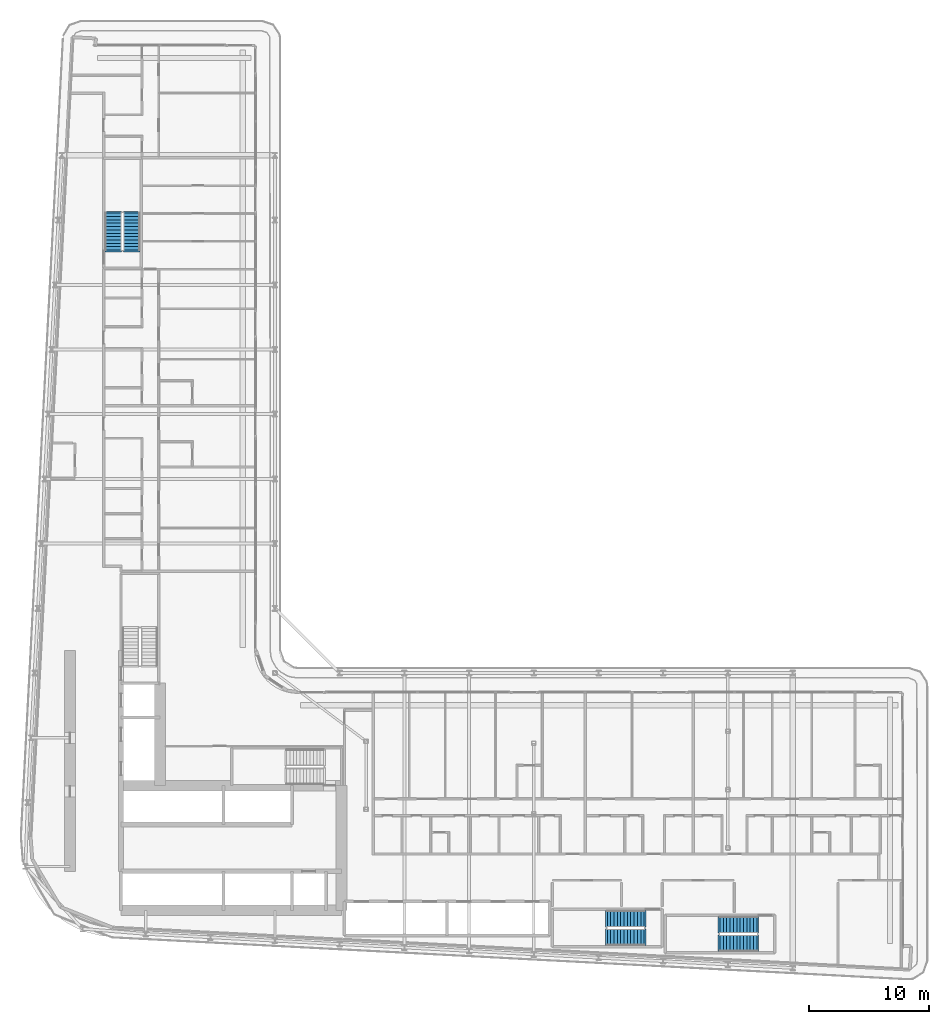
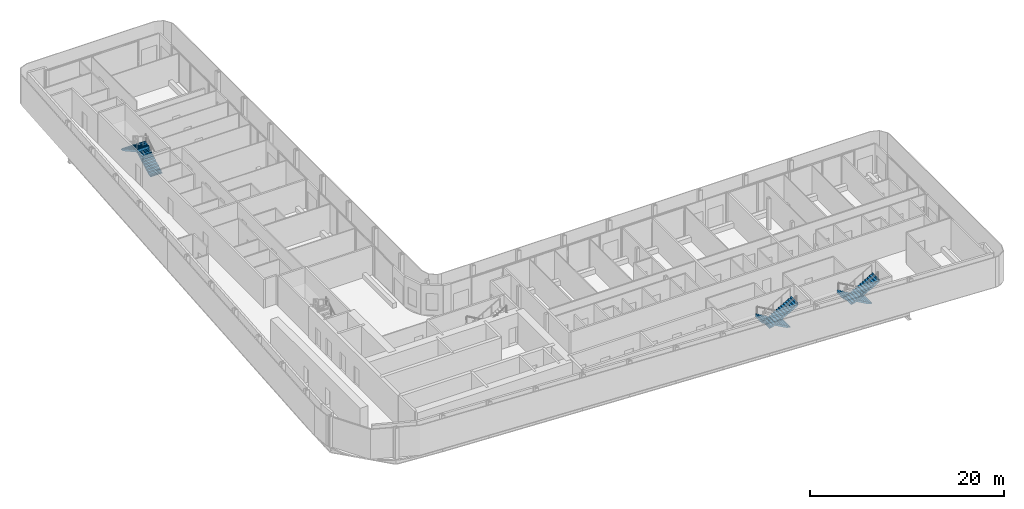
# One storey, part 21 of 28: 6 stair flights, 3 elements without a shape of their own.
"""IFC4 building model written with IfcOpenShell, lengths in metres."""

from ifc_helpers import new_model, si_unit, direction, frame, origin, place, context, subcontext, project, spatial, polyline, outline, extrude, material, layer, layer_set, type_object, element, aggregate, save


model = new_model("IFC4")

# Units and contexts
model_context = context("Model", 3, precision=1e-05, world=origin(), true_north=direction((0.0, 1.0)))
body_context = subcontext(model_context, "Body", "Model", "MODEL_VIEW")
ifc_project = project(units=[si_unit("LENGTHUNIT", "METRE"), si_unit("AREAUNIT", "SQUARE_METRE"), si_unit("VOLUMEUNIT", "CUBIC_METRE"), si_unit("PLANEANGLEUNIT", "RADIAN"), si_unit("MASSUNIT", "GRAM", prefix="KILO")], contexts=[model_context])

# Site, building, storey
site_placement = place(None, origin())
site = spatial("IfcSite", under=ifc_project, at=site_placement, CompositionType="ELEMENT")
building_placement = place(site_placement, origin())
building = spatial("IfcBuilding", under=site, at=building_placement, Name="Kheshtan School and Residences Tower", CompositionType="ELEMENT")
storey_placement = place(building_placement, frame((0.0, 0.0, 140.89990234375)))
storey = spatial("IfcBuildingStorey", under=building, at=storey_placement, Name="L33", CompositionType="ELEMENT", Elevation=140.89990234375)

# Stair, stair flights
ifc_material = material(Name="Concrete C40/50", Category="concrete")
stair_type = type_object("IfcStairType", Name="Exit stair, half-turn", PredefinedType="HALF_TURN_STAIR", material=ifc_material)
stair_1_placement = place(storey_placement, origin())
stair_1 = element("IfcStair", 1, at=stair_1_placement, inside=storey, type_object=stair_type, Name="L33 Protected Exit Stair ST3", PredefinedType="HALF_TURN_STAIR")
ifc_layer = layer(ifc_material, 0.14990234375)
ifc_layer_set = layer_set([ifc_layer], Name="Stair flight 1400 Concrete C40/50")
stair_flight_type = type_object("IfcStairFlightType", Name="Stair flight 1400 Concrete C40/50", PredefinedType="STRAIGHT", material=ifc_layer_set)
stair_flight_1_placement = place(storey_placement, frame((35.64990234375, 80.89990234375, 0.0), z_axis=(0.0, 0.0, 1.0), x_axis=(0.0, 1.0, 0.0)))
stair_flight_1 = element("IfcStairFlight", 2, at=stair_flight_1_placement, type_object=stair_flight_type, Name="ST3 flight 1", NumberOfRisers=12, NumberOfTreads=11, PredefinedType="STRAIGHT", RiserHeight=0.1625, TreadLength=0.28, context=body_context, shape_type="SweptSolid", body=[
    extrude(outline(polyline([(-0.14990234375, -0.10009765625), (-0.14990234375, 0.0), (0.0, 0.0), (0.0, 0.16259765625), (0.280029296875, 0.16259765625), (0.280029296875, 0.324951171875), (0.56005859375, 0.324951171875), (0.56005859375, 0.487548828125), (0.840087890625, 0.487548828125), (0.840087890625, 0.64990234375), (1.1201171875, 0.64990234375), (1.1201171875, 0.8125), (1.39990234375, 0.8125), (1.39990234375, 0.97509765625), (1.679931640625, 0.97509765625), (1.679931640625, 1.137451171875), (1.9599609375, 1.137451171875), (1.9599609375, 1.300048828125), (2.239990234375, 1.300048828125), (2.239990234375, 1.46240234375), (2.52001953125, 1.46240234375), (2.52001953125, 1.625), (2.800048828125, 1.625), (2.800048828125, 1.78759765625), (3.080078125, 1.78759765625), (3.080078125, 1.949951171875), (3.080078125, 1.969970703125), (3.22998046875, 1.969970703125), (3.22998046875, 1.6142578125), (0.298583984375, 0.0), (-0.14990234375, -0.10009765625)])), frame((0.0, 0.699951171875, 0.0), z_axis=(0.0, -1.0, 0.0), x_axis=(1.0, 0.0, 0.0)), (0.0, 0.0, 1.0), 1.39990234375),
])
stair_flight_2_placement = place(storey_placement, frame((34.10009765625, 83.97998046875, 1.9501953125), z_axis=(0.0, 0.0, 1.0), x_axis=(0.0, -1.0, 0.0)))
stair_flight_2 = element("IfcStairFlight", 3, at=stair_flight_2_placement, type_object=stair_flight_type, Name="ST3 flight 2", NumberOfRisers=12, NumberOfTreads=11, PredefinedType="STRAIGHT", RiserHeight=0.1625, TreadLength=0.28, context=body_context, shape_type="SweptSolid", body=[
    extrude(outline(polyline([(-0.14990234375, -0.10009765625), (-0.14990234375, 0.0), (0.0, 0.0), (0.0, 0.16259765625), (0.280029296875, 0.16259765625), (0.280029296875, 0.324951171875), (0.56005859375, 0.324951171875), (0.56005859375, 0.487548828125), (0.840087890625, 0.487548828125), (0.840087890625, 0.64990234375), (1.1201171875, 0.64990234375), (1.1201171875, 0.8125), (1.39990234375, 0.8125), (1.39990234375, 0.97509765625), (1.679931640625, 0.97509765625), (1.679931640625, 1.137451171875), (1.9599609375, 1.137451171875), (1.9599609375, 1.300048828125), (2.239990234375, 1.300048828125), (2.239990234375, 1.46240234375), (2.52001953125, 1.46240234375), (2.52001953125, 1.625), (2.800048828125, 1.625), (2.800048828125, 1.78759765625), (3.080078125, 1.78759765625), (3.080078125, 1.949951171875), (3.080078125, 1.969970703125), (3.22998046875, 1.969970703125), (3.22998046875, 1.6142578125), (0.298583984375, 0.0), (-0.14990234375, -0.10009765625)])), frame((0.0, 0.699951171875, 0.0), z_axis=(0.0, -1.0, 0.0), x_axis=(1.0, 0.0, 0.0)), (0.0, 0.0, 1.0), 1.39990234375),
])
aggregate(stair_1, [stair_flight_1, stair_flight_2])

stair_2_placement = place(storey_placement, origin())
stair_2 = element("IfcStair", 4, at=stair_2_placement, inside=storey, type_object=stair_type, Name="L33 Protected Exit Stair ST4", PredefinedType="HALF_TURN_STAIR")
stair_flight_3_placement = place(storey_placement, frame((87.820068359375, 24.60009765625, 0.0), z_axis=(0.0, 0.0, 1.0), x_axis=(-1.0, 0.0, 0.0)))
stair_flight_3 = element("IfcStairFlight", 5, at=stair_flight_3_placement, type_object=stair_flight_type, Name="ST4 flight 1", NumberOfRisers=12, NumberOfTreads=11, PredefinedType="STRAIGHT", RiserHeight=0.1625, TreadLength=0.28, context=body_context, shape_type="SweptSolid", body=[
    extrude(outline(polyline([(-0.14990234375, -0.10009765625), (-0.14990234375, 0.0), (0.0, 0.0), (0.0, 0.16259765625), (0.280029296875, 0.16259765625), (0.280029296875, 0.324951171875), (0.56005859375, 0.324951171875), (0.56005859375, 0.487548828125), (0.840087890625, 0.487548828125), (0.840087890625, 0.64990234375), (1.1201171875, 0.64990234375), (1.1201171875, 0.8125), (1.39990234375, 0.8125), (1.39990234375, 0.97509765625), (1.679931640625, 0.97509765625), (1.679931640625, 1.137451171875), (1.9599609375, 1.137451171875), (1.9599609375, 1.300048828125), (2.239990234375, 1.300048828125), (2.239990234375, 1.46240234375), (2.52001953125, 1.46240234375), (2.52001953125, 1.625), (2.800048828125, 1.625), (2.800048828125, 1.78759765625), (3.080078125, 1.78759765625), (3.080078125, 1.949951171875), (3.080078125, 1.969970703125), (3.22998046875, 1.969970703125), (3.22998046875, 1.6142578125), (0.298583984375, 0.0), (-0.14990234375, -0.10009765625)])), frame((0.0, 0.699951171875, 0.0), z_axis=(0.0, -1.0, 0.0), x_axis=(1.0, 0.0, 0.0)), (0.0, 0.0, 1.0), 1.39990234375),
])
stair_flight_4_placement = place(storey_placement, frame((84.739990234375, 23.050048828125, 1.9501953125), z_axis=(0.0, 0.0, 1.0), x_axis=(1.0, 0.0, 0.0)))
stair_flight_4 = element("IfcStairFlight", 6, at=stair_flight_4_placement, type_object=stair_flight_type, Name="ST4 flight 2", NumberOfRisers=12, NumberOfTreads=11, PredefinedType="STRAIGHT", RiserHeight=0.1625, TreadLength=0.28, context=body_context, shape_type="SweptSolid", body=[
    extrude(outline(polyline([(-0.14990234375, -0.10009765625), (-0.14990234375, 0.0), (0.0, 0.0), (0.0, 0.16259765625), (0.280029296875, 0.16259765625), (0.280029296875, 0.324951171875), (0.56005859375, 0.324951171875), (0.56005859375, 0.487548828125), (0.840087890625, 0.487548828125), (0.840087890625, 0.64990234375), (1.1201171875, 0.64990234375), (1.1201171875, 0.8125), (1.39990234375, 0.8125), (1.39990234375, 0.97509765625), (1.679931640625, 0.97509765625), (1.679931640625, 1.137451171875), (1.9599609375, 1.137451171875), (1.9599609375, 1.300048828125), (2.239990234375, 1.300048828125), (2.239990234375, 1.46240234375), (2.52001953125, 1.46240234375), (2.52001953125, 1.625), (2.800048828125, 1.625), (2.800048828125, 1.78759765625), (3.080078125, 1.78759765625), (3.080078125, 1.949951171875), (3.080078125, 1.969970703125), (3.22998046875, 1.969970703125), (3.22998046875, 1.6142578125), (0.298583984375, 0.0), (-0.14990234375, -0.10009765625)])), frame((0.0, 0.699951171875, 0.0), z_axis=(0.0, -1.0, 0.0), x_axis=(1.0, 0.0, 0.0)), (0.0, 0.0, 1.0), 1.39990234375),
])
aggregate(stair_2, [stair_flight_3, stair_flight_4])

stair_3_placement = place(storey_placement, origin())
stair_3 = element("IfcStair", 7, at=stair_3_placement, inside=storey, type_object=stair_type, Name="L33 Protected Exit Stair ST5", PredefinedType="HALF_TURN_STAIR")
stair_flight_5_placement = place(storey_placement, frame((78.409912109375, 25.10009765625, 0.0), z_axis=(0.0, 0.0, 1.0), x_axis=(-1.0, 0.0, 0.0)))
stair_flight_5 = element("IfcStairFlight", 8, at=stair_flight_5_placement, type_object=stair_flight_type, Name="ST5 flight 1", NumberOfRisers=12, NumberOfTreads=11, PredefinedType="STRAIGHT", RiserHeight=0.1625, TreadLength=0.28, context=body_context, shape_type="SweptSolid", body=[
    extrude(outline(polyline([(-0.14990234375, -0.10009765625), (-0.14990234375, 0.0), (0.0, 0.0), (0.0, 0.16259765625), (0.280029296875, 0.16259765625), (0.280029296875, 0.324951171875), (0.56005859375, 0.324951171875), (0.56005859375, 0.487548828125), (0.840087890625, 0.487548828125), (0.840087890625, 0.64990234375), (1.1201171875, 0.64990234375), (1.1201171875, 0.8125), (1.39990234375, 0.8125), (1.39990234375, 0.97509765625), (1.679931640625, 0.97509765625), (1.679931640625, 1.137451171875), (1.9599609375, 1.137451171875), (1.9599609375, 1.300048828125), (2.239990234375, 1.300048828125), (2.239990234375, 1.46240234375), (2.52001953125, 1.46240234375), (2.52001953125, 1.625), (2.800048828125, 1.625), (2.800048828125, 1.78759765625), (3.080078125, 1.78759765625), (3.080078125, 1.949951171875), (3.080078125, 1.969970703125), (3.22998046875, 1.969970703125), (3.22998046875, 1.6142578125), (0.298583984375, 0.0), (-0.14990234375, -0.10009765625)])), frame((0.0, 0.699951171875, 0.0), z_axis=(0.0, -1.0, 0.0), x_axis=(1.0, 0.0, 0.0)), (0.0, 0.0, 1.0), 1.39990234375),
])
stair_flight_6_placement = place(storey_placement, frame((75.330078125, 23.550048828125, 1.9501953125), z_axis=(0.0, 0.0, 1.0), x_axis=(1.0, 0.0, 0.0)))
stair_flight_6 = element("IfcStairFlight", 9, at=stair_flight_6_placement, type_object=stair_flight_type, Name="ST5 flight 2", NumberOfRisers=12, NumberOfTreads=11, PredefinedType="STRAIGHT", RiserHeight=0.1625, TreadLength=0.28, context=body_context, shape_type="SweptSolid", body=[
    extrude(outline(polyline([(-0.14990234375, -0.10009765625), (-0.14990234375, 0.0), (0.0, 0.0), (0.0, 0.16259765625), (0.280029296875, 0.16259765625), (0.280029296875, 0.324951171875), (0.56005859375, 0.324951171875), (0.56005859375, 0.487548828125), (0.840087890625, 0.487548828125), (0.840087890625, 0.64990234375), (1.1201171875, 0.64990234375), (1.1201171875, 0.8125), (1.39990234375, 0.8125), (1.39990234375, 0.97509765625), (1.679931640625, 0.97509765625), (1.679931640625, 1.137451171875), (1.9599609375, 1.137451171875), (1.9599609375, 1.300048828125), (2.239990234375, 1.300048828125), (2.239990234375, 1.46240234375), (2.52001953125, 1.46240234375), (2.52001953125, 1.625), (2.800048828125, 1.625), (2.800048828125, 1.78759765625), (3.080078125, 1.78759765625), (3.080078125, 1.949951171875), (3.080078125, 1.969970703125), (3.22998046875, 1.969970703125), (3.22998046875, 1.6142578125), (0.298583984375, 0.0), (-0.14990234375, -0.10009765625)])), frame((0.0, 0.699951171875, 0.0), z_axis=(0.0, -1.0, 0.0), x_axis=(1.0, 0.0, 0.0)), (0.0, 0.0, 1.0), 1.39990234375),
])
aggregate(stair_3, [stair_flight_5, stair_flight_6])

save(model, "model.ifc")
